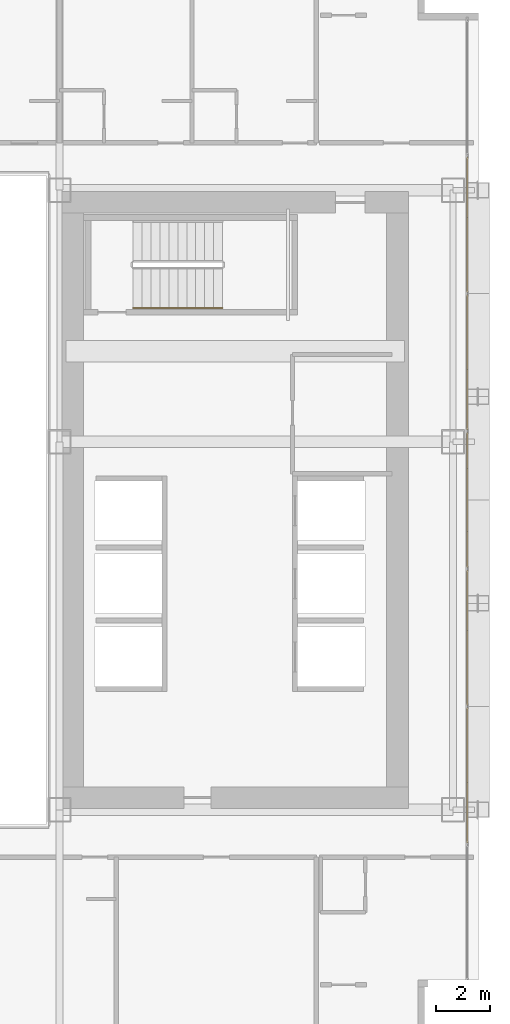
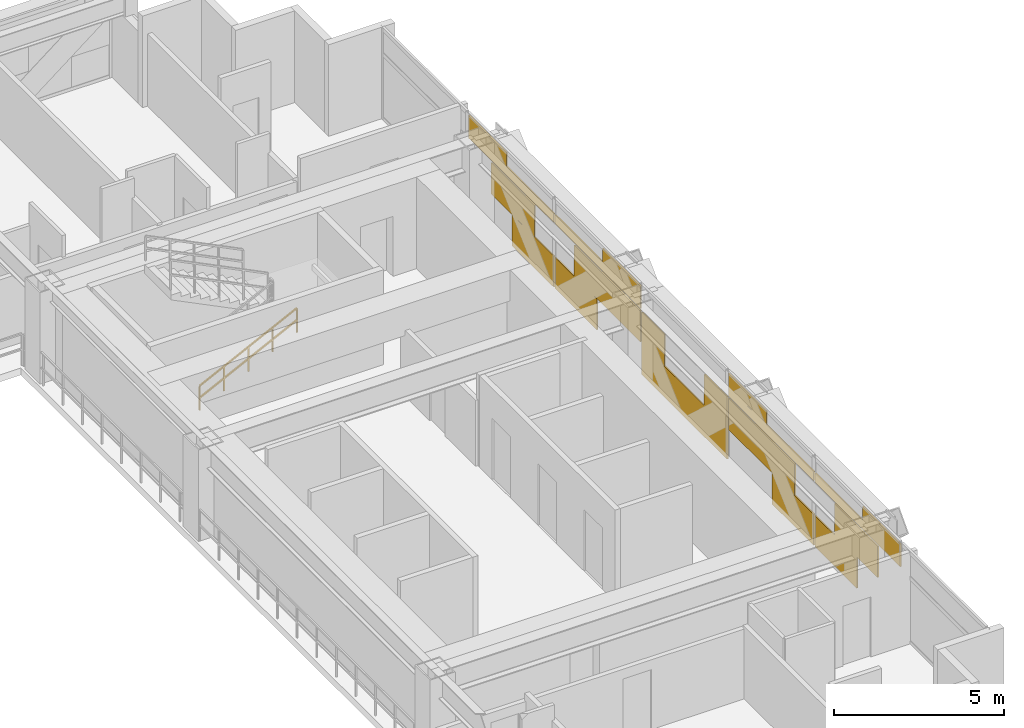
# One storey, part 34 of 35: 1 covering, 1 railing.
"""IFC4 building model written with IfcOpenShell, lengths in metres."""

from ifc_helpers import new_model, si_unit, direction, frame, origin, origin_2d, place, context, subcontext, project, spatial, rectangle, extrude, material, layer, layer_set, type_object, element, save


model = new_model("IFC4")

# Units and contexts
model_context = context("Model", 3, precision=1e-05, world=origin(), true_north=direction((0.0, 1.0)))
body_context = subcontext(model_context, "Body", "Model", "MODEL_VIEW")
ifc_project = project(units=[si_unit("LENGTHUNIT", "METRE"), si_unit("AREAUNIT", "SQUARE_METRE"), si_unit("VOLUMEUNIT", "CUBIC_METRE"), si_unit("PLANEANGLEUNIT", "RADIAN"), si_unit("MASSUNIT", "GRAM", prefix="KILO")], contexts=[model_context])

# Site, building, storey
site_placement = place(None, origin())
site = spatial("IfcSite", under=ifc_project, at=site_placement, CompositionType="ELEMENT")
building_placement = place(site_placement, origin())
building = spatial("IfcBuilding", under=site, at=building_placement, Name="Ocotamira Hotel", CompositionType="ELEMENT")
storey_placement = place(building_placement, frame((0.0, 0.0, 81.60009765625)))
storey = spatial("IfcBuildingStorey", under=building, at=storey_placement, Name="L20", CompositionType="ELEMENT", Elevation=81.60009765625)

# Covering
ifc_material_1 = material(Name="Insulated pale-metal aluminium spandrel panel", Category="aluminium")
ifc_layer = layer(ifc_material_1, 0.044921875)
ifc_layer_set = layer_set([ifc_layer], Name="Insulated pale-metal aluminium spandrel panel")
covering_type = type_object("IfcCoveringType", Name="COV-INFILL-45", PredefinedType="CLADDING", material=ifc_layer_set)
covering_placement = place(storey_placement, origin())
element("IfcCovering", 1, at=covering_placement, inside=storey, type_object=covering_type, Name="L20 Curtain Wall Infill CW-2 CW-L20-E", PredefinedType="CLADDING", context=body_context, shape_type="SweptSolid", body=[
    extrude(rectangle(XDim=2.533935546875, YDim=0.044921875, at=origin_2d()), frame((55.580078125, 15.930419921875, 1.194091796875), z_axis=(0.0, 0.0, 1.0), x_axis=(0.0, 1.0, 0.0)), (0.0, 0.0, 1.0), 1.11767578125),
    extrude(rectangle(XDim=2.457763671875, YDim=0.044921875, at=origin_2d()), frame((55.580078125, 17.10205078125, 0.0751953125), z_axis=(0.0, 0.0, 1.0), x_axis=(0.0, 1.0, 0.0)), (0.0, 0.0, 1.0), 1.117919921875),
    extrude(rectangle(XDim=5.004638671875, YDim=0.044921875, at=origin_2d()), frame((55.580078125, 15.82861328125, 2.387939453125), z_axis=(0.0, 0.0, 1.0), x_axis=(0.0, 1.0, 0.0)), (0.0, 0.0, 1.0), 0.328125),
    extrude(rectangle(XDim=2.224853515625, YDim=0.044921875, at=origin_2d()), frame((55.580078125, 14.438720703125, 2.717041015625), z_axis=(0.0, 0.0, 1.0), x_axis=(0.0, 1.0, 0.0)), (0.0, 0.0, 1.0), 0.4873046875),
    extrude(rectangle(XDim=2.4482421875, YDim=0.044921875, at=origin_2d()), frame((55.580078125, 19.635986328125, 0.0751953125), z_axis=(0.0, 0.0, 1.0), x_axis=(0.0, 1.0, 0.0)), (0.0, 0.0, 1.0), 1.117919921875),
    extrude(rectangle(XDim=3.881103515625, YDim=0.044921875, at=origin_2d()), frame((55.580078125, 21.476318359375, 1.194091796875), z_axis=(0.0, 0.0, 1.0), x_axis=(0.0, 1.0, 0.0)), (0.0, 0.0, 1.0), 1.11767578125),
    extrude(rectangle(XDim=5.004638671875, YDim=0.044921875, at=origin_2d()), frame((55.580078125, 20.914306640625, 2.387939453125), z_axis=(0.0, 0.0, 1.0), x_axis=(0.0, 1.0, 0.0)), (0.0, 0.0, 1.0), 0.328125),
    extrude(rectangle(XDim=2.234375, YDim=0.044921875, at=origin_2d()), frame((55.580078125, 22.29931640625, 2.717041015625), z_axis=(0.0, 0.0, 1.0), x_axis=(0.0, 1.0, 0.0)), (0.0, 0.0, 1.0), 0.4873046875),
    extrude(rectangle(XDim=5.004638671875, YDim=0.044921875, at=origin_2d()), frame((55.580078125, 26.0, 0.0751953125), z_axis=(0.0, 0.0, 1.0), x_axis=(0.0, 1.0, 0.0)), (0.0, 0.0, 1.0), 1.117919921875),
    extrude(rectangle(XDim=1.333251953125, YDim=0.044921875, at=origin_2d()), frame((55.580078125, 24.164306640625, 1.194091796875), z_axis=(0.0, 0.0, 1.0), x_axis=(0.0, 1.0, 0.0)), (0.0, 0.0, 1.0), 1.11767578125),
    extrude(rectangle(XDim=1.333251953125, YDim=0.044921875, at=origin_2d()), frame((55.580078125, 27.835693359375, 1.194091796875), z_axis=(0.0, 0.0, 1.0), x_axis=(0.0, 1.0, 0.0)), (0.0, 0.0, 1.0), 1.11767578125),
    extrude(rectangle(XDim=3.881103515625, YDim=0.044921875, at=origin_2d()), frame((55.580078125, 30.523681640625, 1.194091796875), z_axis=(0.0, 0.0, 1.0), x_axis=(0.0, 1.0, 0.0)), (0.0, 0.0, 1.0), 1.11767578125),
    extrude(rectangle(XDim=2.4482421875, YDim=0.044921875, at=origin_2d()), frame((55.580078125, 32.364013671875, 0.0751953125), z_axis=(0.0, 0.0, 1.0), x_axis=(0.0, 1.0, 0.0)), (0.0, 0.0, 1.0), 1.117919921875),
    extrude(rectangle(XDim=5.004638671875, YDim=0.044921875, at=origin_2d()), frame((55.580078125, 31.085693359375, 2.387939453125), z_axis=(0.0, 0.0, 1.0), x_axis=(0.0, 1.0, 0.0)), (0.0, 0.0, 1.0), 0.328125),
    extrude(rectangle(XDim=2.234375, YDim=0.044921875, at=origin_2d()), frame((55.580078125, 29.70068359375, 2.717041015625), z_axis=(0.0, 0.0, 1.0), x_axis=(0.0, 1.0, 0.0)), (0.0, 0.0, 1.0), 0.4873046875),
    extrude(rectangle(XDim=2.457763671875, YDim=0.044921875, at=origin_2d()), frame((55.580078125, 34.89794921875, 0.0751953125), z_axis=(0.0, 0.0, 1.0), x_axis=(0.0, 1.0, 0.0)), (0.0, 0.0, 1.0), 1.117919921875),
    extrude(rectangle(XDim=2.533935546875, YDim=0.044921875, at=origin_2d()), frame((55.580078125, 36.069580078125, 1.194091796875), z_axis=(0.0, 0.0, 1.0), x_axis=(0.0, 1.0, 0.0)), (0.0, 0.0, 1.0), 1.11767578125),
    extrude(rectangle(XDim=5.004638671875, YDim=0.044921875, at=origin_2d()), frame((55.580078125, 36.17138671875, 2.387939453125), z_axis=(0.0, 0.0, 1.0), x_axis=(0.0, 1.0, 0.0)), (0.0, 0.0, 1.0), 0.328125),
    extrude(rectangle(XDim=2.224853515625, YDim=0.044921875, at=origin_2d()), frame((55.580078125, 37.561279296875, 2.717041015625), z_axis=(0.0, 0.0, 1.0), x_axis=(0.0, 1.0, 0.0)), (0.0, 0.0, 1.0), 0.4873046875),
])

# Railing
ifc_material_2 = material(Name="Brushed stainless steel handrail", Category="steel")
railing_type = type_object("IfcRailingType", Name="RL-HAND-900", PredefinedType="HANDRAIL", material=ifc_material_2)
railing_placement = place(storey_placement, frame((43.22998046875, 33.10009765625, 0.3271484375)))
element("IfcRailing", 2, at=railing_placement, inside=storey, type_object=railing_type, Name="L20 ST-4 stair handrail 1", PredefinedType="HANDRAIL", context=body_context, shape_type="SweptSolid", body=[
    extrude(rectangle(XDim=0.048095703125, YDim=0.048095703125, at=origin_2d()), frame((0.0, 0.0, 0.8759765625), z_axis=(0.895893744519, 0.0, 0.4442683857), x_axis=(0.0, 1.0, 0.0)), (0.0, 0.0, 1.0), 3.68359375),
    extrude(rectangle(XDim=0.048095703125, YDim=0.048095703125, at=origin_2d()), frame((0.0, 0.0, 0.449951171875), z_axis=(0.895893744519, 0.0, 0.4442683857), x_axis=(0.0, 1.0, 0.0)), (0.0, 0.0, 1.0), 3.68359375),
    extrude(rectangle(XDim=0.0419921875, YDim=0.0419921875, at=origin_2d()), origin(), (0.0, 0.0, 1.0), 0.851806640625),
    extrude(rectangle(XDim=0.0419921875, YDim=0.0419921875, at=origin_2d()), frame((0.824951171875, 0.0, 0.4091796875)), (0.0, 0.0, 1.0), 0.851806640625),
    extrude(rectangle(XDim=0.0419921875, YDim=0.0419921875, at=origin_2d()), frame((1.64990234375, 0.0, 0.818359375)), (0.0, 0.0, 1.0), 0.851806640625),
    extrude(rectangle(XDim=0.0419921875, YDim=0.0419921875, at=origin_2d()), frame((2.47509765625, 0.0, 1.227294921875)), (0.0, 0.0, 1.0), 0.851806640625),
    extrude(rectangle(XDim=0.0419921875, YDim=0.0419921875, at=origin_2d()), frame((3.300048828125, 0.0, 1.636474609375)), (0.0, 0.0, 1.0), 0.851806640625),
])

save(model, "model.ifc")
